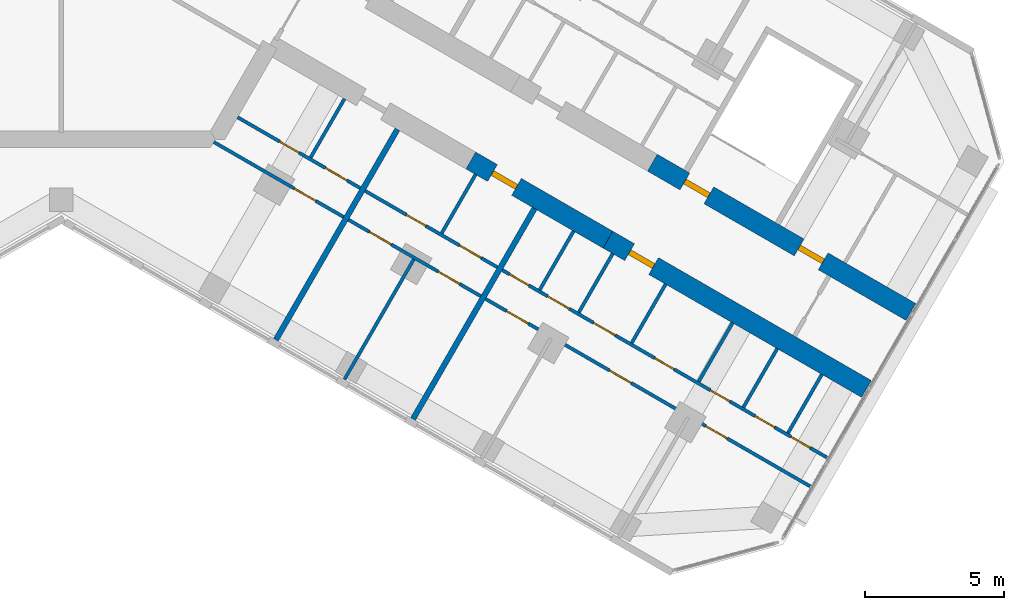
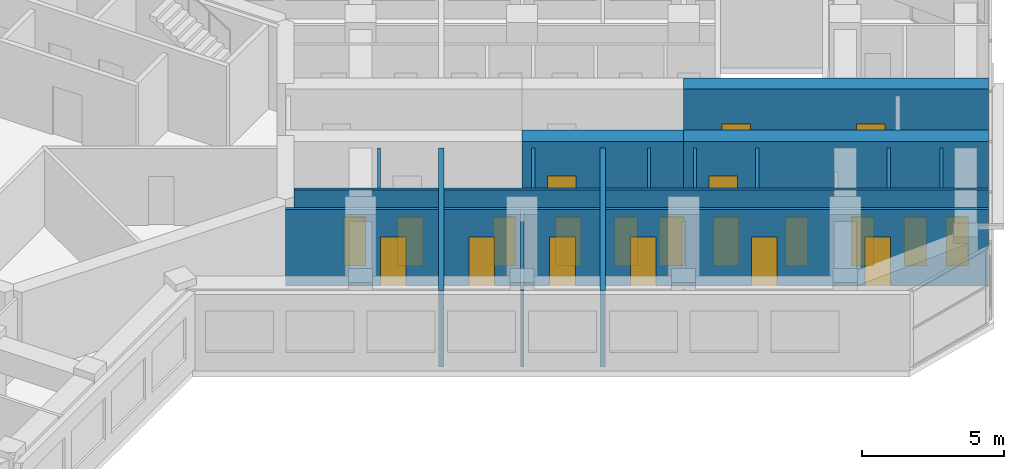
# One storey, part 11 of 16: 21 doors, 20 walls, 21 openings.
"""IFC4 building model written with IfcOpenShell, lengths in metres."""

from ifc_helpers import new_model, si_unit, direction, frame, frame_2d, origin, place, context, subcontext, project, spatial, rectangle, extrude, material, layer, layer_set, type_object, element, fill, save


model = new_model("IFC4")

# Units and contexts
model_context = context("Model", 3, precision=1e-05, world=origin(), true_north=direction((0.0, 1.0)))
body_context = subcontext(model_context, "Body", "Model", "MODEL_VIEW")
ifc_project = project(units=[si_unit("LENGTHUNIT", "METRE"), si_unit("AREAUNIT", "SQUARE_METRE"), si_unit("VOLUMEUNIT", "CUBIC_METRE"), si_unit("PLANEANGLEUNIT", "RADIAN"), si_unit("MASSUNIT", "GRAM", prefix="KILO")], contexts=[model_context])

# Site, building, storey
site_placement = place(None, origin())
site = spatial("IfcSite", under=ifc_project, at=site_placement, CompositionType="ELEMENT")
building_placement = place(site_placement, origin())
building = spatial("IfcBuilding", under=site, at=building_placement, Name="Kosmar Iwan School Tower", CompositionType="ELEMENT")
storey_placement = place(building_placement, frame((0.0, 0.0, 256.800048828125)))
storey = spatial("IfcBuildingStorey", under=building, at=storey_placement, Name="L65", CompositionType="ELEMENT", Elevation=256.800048828125)

# Wall, openings, doors
ifc_material_1 = material(Name="Concrete C50/60", Category="concrete")
ifc_layer_1 = layer(ifc_material_1, 0.699951171875)
ifc_layer_set_1 = layer_set([ifc_layer_1], Name="Corridor buttress wall 700")
wall_type_1 = type_object("IfcWallType", Name="Corridor buttress wall 700", PredefinedType="SHEAR", material=ifc_layer_set_1)
wall_1_placement = place(storey_placement, frame((21.281494140625, -10.439453125, 0.0), z_axis=(0.0, 0.0, 1.0), x_axis=(0.866032345022, -0.499987977232, 0.0)))
wall_1 = element("IfcWall", 1, at=wall_1_placement, inside=storey, type_object=wall_type_1, Name="Corridor wall CL bay 3", PredefinedType="SHEAR", context=body_context, shape_type="SweptSolid", body=[
    extrude(rectangle(XDim=10.744873046875, YDim=0.699951171875, at=frame_2d((5.37255859375, 0.0))), origin(), (0.0, 0.0, 1.0), 3.599853515625),
])
opening_1_placement = place(wall_1_placement, frame((6.10009765625, 0.0, 0.0)))
opening_1 = element("IfcOpeningElement", 2, at=opening_1_placement, cuts=wall_1, Name="Opening D1", PredefinedType="OPENING", context=body_context, shape_type="SweptSolid", body=[
    extrude(rectangle(XDim=1.0, YDim=2.10009765625, at=frame_2d((0.5, 1.050048828125))), frame((0.0, 0.362060546875, 0.0), z_axis=(0.0, -1.0, 0.0), x_axis=(1.0, 0.0, 0.0)), (0.0, 0.0, 1.0), 0.723876953125),
])
opening_2_placement = place(wall_1_placement, frame((1.35009765625, 0.0, 0.0)))
opening_2 = element("IfcOpeningElement", 3, at=opening_2_placement, cuts=wall_1, Name="Opening D6", PredefinedType="OPENING", context=body_context, shape_type="SweptSolid", body=[
    extrude(rectangle(XDim=1.0, YDim=2.10009765625, at=frame_2d((0.5, 1.050048828125))), frame((0.0, 0.362060546875, 0.0), z_axis=(0.0, -1.0, 0.0), x_axis=(1.0, 0.0, 0.0)), (0.0, 0.0, 1.0), 0.723876953125),
])
ifc_material_2 = material(Name="Timber fire door in steel frame", Category="steel")
door_type_1 = type_object("IfcDoorType", Name="Flat entrance door 1000x2100", OperationType="SINGLE_SWING_LEFT", PredefinedType="DOOR", material=ifc_material_2)
door_1_placement = place(opening_1_placement, origin())
door_1 = element("IfcDoor", 4, at=door_1_placement, inside=storey, type_object=door_type_1, Name="Flat L65-CL3 entrance door", OperationType="SINGLE_SWING_RIGHT", OverallHeight=2.10009765625, OverallWidth=1.0, PredefinedType="DOOR", context=body_context, shape_type="SweptSolid", body=[
    extrude(rectangle(XDim=1.0, YDim=2.10009765625, at=frame_2d((0.5, 1.050048828125))), frame((0.0, 0.10009765625, 0.0), z_axis=(0.0, -1.0, 0.0), x_axis=(1.0, 0.0, 0.0)), (0.0, 0.0, 1.0), 0.199951171875),
])
fill(opening_1, door_1)
ifc_material_3 = material(Name="Steel fire door", Category="steel")
door_type_2 = type_object("IfcDoorType", Name="Stair door 1000x2100", OperationType="SINGLE_SWING_LEFT", PredefinedType="DOOR", material=ifc_material_3)
door_2_placement = place(opening_2_placement, origin())
door_2 = element("IfcDoor", 5, at=door_2_placement, inside=storey, type_object=door_type_2, Name="Stair WS3 door L65", OperationType="SINGLE_SWING_LEFT", OverallHeight=2.10009765625, OverallWidth=1.0, PredefinedType="DOOR", context=body_context, shape_type="SweptSolid", body=[
    extrude(rectangle(XDim=1.0, YDim=2.10009765625, at=frame_2d((0.5, 1.050048828125))), frame((0.0, 0.10009765625, 0.0), z_axis=(0.0, -1.0, 0.0), x_axis=(1.0, 0.0, 0.0)), (0.0, 0.0, 1.0), 0.199951171875),
])
fill(opening_2, door_2)

# Wall, opening, door
wall_2_placement = place(storey_placement, frame((14.7451171875, -10.360595703125, 0.0), z_axis=(0.0, 0.0, 1.0), x_axis=(0.866015111908, -0.50001782563, 0.0)))
wall_2 = element("IfcWall", 6, at=wall_2_placement, inside=storey, type_object=wall_type_1, Name="Corridor wall CR bay 2", PredefinedType="SHEAR", context=body_context, shape_type="SweptSolid", body=[
    extrude(rectangle(XDim=5.699951171875, YDim=0.699951171875, at=frame_2d((2.85009765625, 0.0))), origin(), (0.0, 0.0, 1.0), 3.599853515625),
])
opening_3_placement = place(wall_2_placement, frame((0.89990234375, 0.0, 0.0)))
opening_3 = element("IfcOpeningElement", 7, at=opening_3_placement, cuts=wall_2, Name="Opening D1", PredefinedType="OPENING", context=body_context, shape_type="SweptSolid", body=[
    extrude(rectangle(XDim=1.0, YDim=2.10009765625, at=frame_2d((0.5, 1.050048828125))), frame((0.0, 0.362060546875, 0.0), z_axis=(0.0, -1.0, 0.0), x_axis=(1.0, 0.0, 0.0)), (0.0, 0.0, 1.0), 0.723876953125),
])
door_3_placement = place(opening_3_placement, origin())
door_3 = element("IfcDoor", 8, at=door_3_placement, inside=storey, type_object=door_type_1, Name="Flat L65-CR2 entrance door", OperationType="SINGLE_SWING_LEFT", OverallHeight=2.10009765625, OverallWidth=1.0, PredefinedType="DOOR", context=body_context, shape_type="SweptSolid", body=[
    extrude(rectangle(XDim=1.0, YDim=2.10009765625, at=frame_2d((0.5, 1.050048828125))), frame((0.0, 0.10009765625, 0.0), z_axis=(0.0, -1.0, 0.0), x_axis=(1.0, 0.0, 0.0)), (0.0, 0.0, 1.0), 0.199951171875),
])
fill(opening_3, door_3)

wall_3_placement = place(storey_placement, frame((19.681396484375, -13.210693359375, 0.0), z_axis=(0.0, 0.0, 1.0), x_axis=(0.866028186671, -0.499995179869, 0.0)))
wall_3 = element("IfcWall", 9, at=wall_3_placement, inside=storey, type_object=wall_type_1, Name="Corridor wall CR bay 3", PredefinedType="SHEAR", context=body_context, shape_type="SweptSolid", body=[
    extrude(rectangle(XDim=10.7451171875, YDim=0.699951171875, at=frame_2d((5.37255859375, 0.0))), origin(), (0.0, 0.0, 1.0), 3.599853515625),
])
opening_4_placement = place(wall_3_placement, frame((0.89990234375, 0.0, 0.0)))
opening_4 = element("IfcOpeningElement", 10, at=opening_4_placement, cuts=wall_3, Name="Opening D1", PredefinedType="OPENING", context=body_context, shape_type="SweptSolid", body=[
    extrude(rectangle(XDim=1.0, YDim=2.10009765625, at=frame_2d((0.5, 1.050048828125))), frame((0.0, 0.362060546875, 0.0), z_axis=(0.0, -1.0, 0.0), x_axis=(1.0, 0.0, 0.0)), (0.0, 0.0, 1.0), 0.723876953125),
])
door_4_placement = place(opening_4_placement, origin())
door_4 = element("IfcDoor", 11, at=door_4_placement, inside=storey, type_object=door_type_1, Name="Flat L65-CR3 entrance door", OperationType="SINGLE_SWING_LEFT", OverallHeight=2.10009765625, OverallWidth=1.0, PredefinedType="DOOR", context=body_context, shape_type="SweptSolid", body=[
    extrude(rectangle(XDim=1.0, YDim=2.10009765625, at=frame_2d((0.5, 1.050048828125))), frame((0.0, 0.10009765625, 0.0), z_axis=(0.0, -1.0, 0.0), x_axis=(1.0, 0.0, 0.0)), (0.0, 0.0, 1.0), 0.199951171875),
])
fill(opening_4, door_4)

# Wall, openings, doors
ifc_material_4 = material(Name="Gypsum board on steel studs", Category="steel")
ifc_layer_2 = layer(ifc_material_4, 0.1201171875)
ifc_layer_set_2 = layer_set([ifc_layer_2], Name="Dwelling partition 120")
wall_type_2 = type_object("IfcWallType", Name="Dwelling partition 120", PredefinedType="PARTITIONING", material=ifc_layer_set_2)
wall_4_placement = place(storey_placement, frame((6.3486328125, -8.8037109375, 0.0), z_axis=(0.0, 0.0, 1.0), x_axis=(0.86602216432, -0.500005610874, 0.0)))
wall_4 = element("IfcWall", 12, at=wall_4_placement, inside=storey, type_object=wall_type_2, Name="Partition L65-CR1-W1", PredefinedType="PARTITIONING", context=body_context, shape_type="SweptSolid", body=[
    extrude(rectangle(XDim=5.10009765625, YDim=0.1201171875, at=frame_2d((2.550048828125, 0.0))), origin(), (0.0, 0.0, 1.0), 3.300048828125),
])
opening_5_placement = place(wall_4_placement, frame((1.75, 0.0, 0.0)))
opening_5 = element("IfcOpeningElement", 13, at=opening_5_placement, cuts=wall_4, Name="Opening D3", PredefinedType="OPENING", context=body_context, shape_type="SweptSolid", body=[
    extrude(rectangle(XDim=0.800048828125, YDim=2.10009765625, at=frame_2d((0.39990234375, 1.050048828125))), frame((0.0, 0.072021484375, 0.0), z_axis=(0.0, -1.0, 0.0), x_axis=(1.0, 0.0, 0.0)), (0.0, 0.0, 1.0), 0.14404296875),
])
opening_6_placement = place(wall_4_placement, frame((3.64990234375, 0.0, 0.0)))
opening_6 = element("IfcOpeningElement", 14, at=opening_6_placement, cuts=wall_4, Name="Opening D2", PredefinedType="OPENING", context=body_context, shape_type="SweptSolid", body=[
    extrude(rectangle(XDim=0.89990234375, YDim=2.10009765625, at=frame_2d((0.449951171875, 1.050048828125))), frame((0.0, 0.072021484375, 0.0), z_axis=(0.0, -1.0, 0.0), x_axis=(1.0, 0.0, 0.0)), (0.0, 0.0, 1.0), 0.14404296875),
])
ifc_material_5 = material(Name="Timber door in timber frame", Category="wood")
door_type_3 = type_object("IfcDoorType", Name="Internal door 900x2100", OperationType="SINGLE_SWING_LEFT", PredefinedType="DOOR", material=ifc_material_5)
door_5_placement = place(opening_6_placement, origin())
door_5 = element("IfcDoor", 15, at=door_5_placement, inside=storey, type_object=door_type_3, Name="Entrance hall door L65-CR1-S2", OperationType="SINGLE_SWING_RIGHT", OverallHeight=2.10009765625, OverallWidth=0.89990234375, PredefinedType="DOOR", context=body_context, shape_type="SweptSolid", body=[
    extrude(rectangle(XDim=0.89990234375, YDim=2.10009765625, at=frame_2d((0.449951171875, 1.050048828125))), frame((0.0, 0.02490234375, 0.0), z_axis=(0.0, -1.0, 0.0), x_axis=(1.0, 0.0, 0.0)), (0.0, 0.0, 1.0), 0.050048828125),
])
fill(opening_6, door_5)
ifc_material_6 = material(Name="Timber door in timber frame", Category="wood")
door_type_4 = type_object("IfcDoorType", Name="Sanitary room door 800x2100", OperationType="SINGLE_SWING_LEFT", PredefinedType="DOOR", material=ifc_material_6)
door_6_placement = place(opening_5_placement, origin())
door_6 = element("IfcDoor", 16, at=door_6_placement, inside=storey, type_object=door_type_4, Name="Bathroom door L65-CR1-S1", OperationType="SINGLE_SWING_RIGHT", OverallHeight=2.10009765625, OverallWidth=0.800048828125, PredefinedType="DOOR", context=body_context, shape_type="SweptSolid", body=[
    extrude(rectangle(XDim=0.800048828125, YDim=2.10009765625, at=frame_2d((0.39990234375, 1.050048828125))), frame((0.0, 0.02490234375, 0.0), z_axis=(0.0, -1.0, 0.0), x_axis=(1.0, 0.0, 0.0)), (0.0, 0.0, 1.0), 0.050048828125),
])
fill(opening_5, door_6)

# Wall, opening, door
wall_5_placement = place(storey_placement, frame((5.48876953125, -9.693115234375, 0.0), z_axis=(0.0, 0.0, 1.0), x_axis=(0.866028230842, -0.499995103361, 0.0)))
wall_5 = element("IfcWall", 17, at=wall_5_placement, inside=storey, type_object=wall_type_2, Name="Partition L65-CR1-W2", PredefinedType="PARTITIONING", context=body_context, shape_type="SweptSolid", body=[
    extrude(rectangle(XDim=5.39990234375, YDim=0.1201171875, at=frame_2d((2.699951171875, 0.0))), origin(), (0.0, 0.0, 1.0), 3.300048828125),
])
opening_7_placement = place(wall_5_placement, frame((3.35009765625, 0.0, 0.0)))
opening_7 = element("IfcOpeningElement", 18, at=opening_7_placement, cuts=wall_5, Name="Opening D2", PredefinedType="OPENING", context=body_context, shape_type="SweptSolid", body=[
    extrude(rectangle(XDim=0.89990234375, YDim=2.10009765625, at=frame_2d((0.449951171875, 1.050048828125))), frame((0.0, 0.072021484375, 0.0), z_axis=(0.0, -1.0, 0.0), x_axis=(1.0, 0.0, 0.0)), (0.0, 0.0, 1.0), 0.14404296875),
])
door_7_placement = place(opening_7_placement, origin())
door_7 = element("IfcDoor", 19, at=door_7_placement, inside=storey, type_object=door_type_3, Name="Studio living room and kitchen door L65-CR1-F1", OperationType="SINGLE_SWING_RIGHT", OverallHeight=2.10009765625, OverallWidth=0.89990234375, PredefinedType="DOOR", context=body_context, shape_type="SweptSolid", body=[
    extrude(rectangle(XDim=0.89990234375, YDim=2.10009765625, at=frame_2d((0.449951171875, 1.050048828125))), frame((0.0, 0.02490234375, 0.0), z_axis=(0.0, -1.0, 0.0), x_axis=(1.0, 0.0, 0.0)), (0.0, 0.0, 1.0), 0.050048828125),
])
fill(opening_7, door_7)

# Wall
wall_6_placement = place(storey_placement, frame((10.19677734375, -8.138671875, 0.0), z_axis=(0.0, 0.0, 1.0), x_axis=(-0.499959183527, -0.866048967903, 0.0)))
element("IfcWall", 20, at=wall_6_placement, inside=storey, type_object=wall_type_2, Name="Partition L65-CR1-Y1", PredefinedType="PARTITIONING", context=body_context, shape_type="SweptSolid", body=[
    extrude(rectangle(XDim=2.440185546875, YDim=0.1201171875, at=frame_2d((1.22021484375, 0.0))), origin(), (0.0, 0.0, 1.0), 3.300048828125),
])

# Wall, openings, doors
wall_7_placement = place(storey_placement, frame((10.9384765625, -11.453857421875, 0.0), z_axis=(0.0, 0.0, 1.0), x_axis=(0.866027397988, -0.499996545922, 0.0)))
wall_7 = element("IfcWall", 21, at=wall_7_placement, inside=storey, type_object=wall_type_2, Name="Partition L65-CR2-W1", PredefinedType="PARTITIONING", context=body_context, shape_type="SweptSolid", body=[
    extrude(rectangle(XDim=5.5, YDim=0.1201171875, at=frame_2d((2.75, 0.0))), origin(), (0.0, 0.0, 1.0), 3.300048828125),
])
opening_8_placement = place(wall_7_placement, frame((1.72509765625, 0.0, 0.0)))
opening_8 = element("IfcOpeningElement", 22, at=opening_8_placement, cuts=wall_7, Name="Opening D3", PredefinedType="OPENING", context=body_context, shape_type="SweptSolid", body=[
    extrude(rectangle(XDim=0.800048828125, YDim=2.10009765625, at=frame_2d((0.39990234375, 1.050048828125))), frame((0.0, 0.072021484375, 0.0), z_axis=(0.0, -1.0, 0.0), x_axis=(1.0, 0.0, 0.0)), (0.0, 0.0, 1.0), 0.14404296875),
])
opening_9_placement = place(wall_7_placement, frame((3.925048828125, 0.0, 0.0)))
opening_9 = element("IfcOpeningElement", 23, at=opening_9_placement, cuts=wall_7, Name="Opening D2", PredefinedType="OPENING", context=body_context, shape_type="SweptSolid", body=[
    extrude(rectangle(XDim=0.89990234375, YDim=2.10009765625, at=frame_2d((0.449951171875, 1.050048828125))), frame((0.0, 0.072021484375, 0.0), z_axis=(0.0, -1.0, 0.0), x_axis=(1.0, 0.0, 0.0)), (0.0, 0.0, 1.0), 0.14404296875),
])
door_8_placement = place(opening_9_placement, origin())
door_8 = element("IfcDoor", 24, at=door_8_placement, inside=storey, type_object=door_type_3, Name="Entrance hall door L65-CR2-S2", OperationType="SINGLE_SWING_RIGHT", OverallHeight=2.10009765625, OverallWidth=0.89990234375, PredefinedType="DOOR", context=body_context, shape_type="SweptSolid", body=[
    extrude(rectangle(XDim=0.89990234375, YDim=2.10009765625, at=frame_2d((0.449951171875, 1.050048828125))), frame((0.0, 0.02490234375, 0.0), z_axis=(0.0, -1.0, 0.0), x_axis=(1.0, 0.0, 0.0)), (0.0, 0.0, 1.0), 0.050048828125),
])
fill(opening_9, door_8)
door_9_placement = place(opening_8_placement, origin())
door_9 = element("IfcDoor", 25, at=door_9_placement, inside=storey, type_object=door_type_4, Name="Bathroom door L65-CR2-S1", OperationType="SINGLE_SWING_RIGHT", OverallHeight=2.10009765625, OverallWidth=0.800048828125, PredefinedType="DOOR", context=body_context, shape_type="SweptSolid", body=[
    extrude(rectangle(XDim=0.800048828125, YDim=2.10009765625, at=frame_2d((0.39990234375, 1.050048828125))), frame((0.0, 0.02490234375, 0.0), z_axis=(0.0, -1.0, 0.0), x_axis=(1.0, 0.0, 0.0)), (0.0, 0.0, 1.0), 0.050048828125),
])
fill(opening_8, door_9)

wall_8_placement = place(storey_placement, frame((10.338623046875, -12.492919921875, 0.0), z_axis=(0.0, 0.0, 1.0), x_axis=(0.866008176907, -0.50002983664, 0.0)))
wall_8 = element("IfcWall", 26, at=wall_8_placement, inside=storey, type_object=wall_type_2, Name="Partition L65-CR2-W2", PredefinedType="PARTITIONING", context=body_context, shape_type="SweptSolid", body=[
    extrude(rectangle(XDim=5.500244140625, YDim=0.1201171875, at=frame_2d((2.75, 0.0))), origin(), (0.0, 0.0, 1.0), 3.300048828125),
])
opening_10_placement = place(wall_8_placement, frame((0.875, 0.0, 0.0)))
opening_10 = element("IfcOpeningElement", 27, at=opening_10_placement, cuts=wall_8, Name="Opening D2", PredefinedType="OPENING", context=body_context, shape_type="SweptSolid", body=[
    extrude(rectangle(XDim=0.89990234375, YDim=2.10009765625, at=frame_2d((0.449951171875, 1.050048828125))), frame((0.0, 0.072021484375, 0.0), z_axis=(0.0, -1.0, 0.0), x_axis=(1.0, 0.0, 0.0)), (0.0, 0.0, 1.0), 0.14404296875),
])
opening_11_placement = place(wall_8_placement, frame((3.72509765625, 0.0, 0.0)))
opening_11 = element("IfcOpeningElement", 28, at=opening_11_placement, cuts=wall_8, Name="Opening D2", PredefinedType="OPENING", context=body_context, shape_type="SweptSolid", body=[
    extrude(rectangle(XDim=0.89990234375, YDim=2.10009765625, at=frame_2d((0.449951171875, 1.050048828125))), frame((0.0, 0.072021484375, 0.0), z_axis=(0.0, -1.0, 0.0), x_axis=(1.0, 0.0, 0.0)), (0.0, 0.0, 1.0), 0.14404296875),
])
door_10_placement = place(opening_10_placement, origin())
door_10 = element("IfcDoor", 29, at=door_10_placement, inside=storey, type_object=door_type_3, Name="Living room and kitchen door L65-CR2-F1", OperationType="SINGLE_SWING_LEFT", OverallHeight=2.10009765625, OverallWidth=0.89990234375, PredefinedType="DOOR", context=body_context, shape_type="SweptSolid", body=[
    extrude(rectangle(XDim=0.89990234375, YDim=2.10009765625, at=frame_2d((0.449951171875, 1.050048828125))), frame((0.0, 0.02490234375, 0.0), z_axis=(0.0, -1.0, 0.0), x_axis=(1.0, 0.0, 0.0)), (0.0, 0.0, 1.0), 0.050048828125),
])
fill(opening_10, door_10)
door_11_placement = place(opening_11_placement, origin())
door_11 = element("IfcDoor", 30, at=door_11_placement, inside=storey, type_object=door_type_3, Name="Bedroom 1 door L65-CR2-F2", OperationType="SINGLE_SWING_RIGHT", OverallHeight=2.10009765625, OverallWidth=0.89990234375, PredefinedType="DOOR", context=body_context, shape_type="SweptSolid", body=[
    extrude(rectangle(XDim=0.89990234375, YDim=2.10009765625, at=frame_2d((0.449951171875, 1.050048828125))), frame((0.0, 0.02490234375, 0.0), z_axis=(0.0, -1.0, 0.0), x_axis=(1.0, 0.0, 0.0)), (0.0, 0.0, 1.0), 0.050048828125),
])
fill(opening_11, door_11)

# Walls
wall_9_placement = place(storey_placement, frame((12.690185546875, -13.919921875, 0.0), z_axis=(0.0, 0.0, 1.0), x_axis=(-0.500011847778, -0.866018563358, 0.0)))
element("IfcWall", 31, at=wall_9_placement, inside=storey, type_object=wall_type_2, Name="Partition L65-CR2-X1", PredefinedType="PARTITIONING", context=body_context, shape_type="SweptSolid", body=[
    extrude(rectangle(XDim=4.990234375, YDim=0.1201171875, at=frame_2d((2.4951171875, 0.0))), origin(), (0.0, 0.0, 1.0), 3.300048828125),
])
wall_10_placement = place(storey_placement, frame((14.91650390625, -10.86376953125, 0.0), z_axis=(0.0, 0.0, 1.0), x_axis=(-0.500002508028, -0.866023955769, 0.0)))
element("IfcWall", 32, at=wall_10_placement, inside=storey, type_object=wall_type_2, Name="Partition L65-CR2-Y1", PredefinedType="PARTITIONING", context=body_context, shape_type="SweptSolid", body=[
    extrude(rectangle(XDim=2.43994140625, YDim=0.1201171875, at=frame_2d((1.219970703125, 0.0))), origin(), (0.0, 0.0, 1.0), 3.300048828125),
])

# Wall, openings, doors
wall_11_placement = place(storey_placement, frame((15.875, -14.3037109375, 0.0), z_axis=(0.0, 0.0, 1.0), x_axis=(0.866023503214, -0.50000329187, 0.0)))
wall_11 = element("IfcWall", 33, at=wall_11_placement, inside=storey, type_object=wall_type_2, Name="Partition L65-CR3-W1", PredefinedType="PARTITIONING", context=body_context, shape_type="SweptSolid", body=[
    extrude(rectangle(XDim=13.4951171875, YDim=0.1201171875, at=frame_2d((6.74755859375, 0.0))), origin(), (0.0, 0.0, 1.0), 3.300048828125),
])
opening_12_placement = place(wall_11_placement, frame((0.3125, 0.0, 0.0)))
opening_12 = element("IfcOpeningElement", 34, at=opening_12_placement, cuts=wall_11, Name="Opening D3", PredefinedType="OPENING", context=body_context, shape_type="SweptSolid", body=[
    extrude(rectangle(XDim=0.800048828125, YDim=2.10009765625, at=frame_2d((0.39990234375, 1.050048828125))), frame((0.0, 0.072021484375, 0.0), z_axis=(0.0, -1.0, 0.0), x_axis=(1.0, 0.0, 0.0)), (0.0, 0.0, 1.0), 0.14404296875),
])
opening_13_placement = place(wall_11_placement, frame((1.887451171875, 0.0, 0.0)))
opening_13 = element("IfcOpeningElement", 35, at=opening_13_placement, cuts=wall_11, Name="Opening D2", PredefinedType="OPENING", context=body_context, shape_type="SweptSolid", body=[
    extrude(rectangle(XDim=0.89990234375, YDim=2.10009765625, at=frame_2d((0.449951171875, 1.050048828125))), frame((0.0, 0.072021484375, 0.0), z_axis=(0.0, -1.0, 0.0), x_axis=(1.0, 0.0, 0.0)), (0.0, 0.0, 1.0), 0.14404296875),
])
opening_14_placement = place(wall_11_placement, frame((3.800048828125, 0.0, 0.0)))
opening_14 = element("IfcOpeningElement", 36, at=opening_14_placement, cuts=wall_11, Name="Opening D2", PredefinedType="OPENING", context=body_context, shape_type="SweptSolid", body=[
    extrude(rectangle(XDim=0.89990234375, YDim=2.10009765625, at=frame_2d((0.449951171875, 1.050048828125))), frame((0.0, 0.072021484375, 0.0), z_axis=(0.0, -1.0, 0.0), x_axis=(1.0, 0.0, 0.0)), (0.0, 0.0, 1.0), 0.14404296875),
])
opening_15_placement = place(wall_11_placement, frame((6.341796875, 0.0, 0.0)))
opening_15 = element("IfcOpeningElement", 37, at=opening_15_placement, cuts=wall_11, Name="Opening D3", PredefinedType="OPENING", context=body_context, shape_type="SweptSolid", body=[
    extrude(rectangle(XDim=0.800048828125, YDim=2.10009765625, at=frame_2d((0.39990234375, 1.050048828125))), frame((0.0, 0.072021484375, 0.0), z_axis=(0.0, -1.0, 0.0), x_axis=(1.0, 0.0, 0.0)), (0.0, 0.0, 1.0), 0.14404296875),
])
opening_16_placement = place(wall_11_placement, frame((8.6611328125, 0.0, 0.0)))
opening_16 = element("IfcOpeningElement", 38, at=opening_16_placement, cuts=wall_11, Name="Opening D3", PredefinedType="OPENING", context=body_context, shape_type="SweptSolid", body=[
    extrude(rectangle(XDim=0.800048828125, YDim=2.10009765625, at=frame_2d((0.39990234375, 1.050048828125))), frame((0.0, 0.072021484375, 0.0), z_axis=(0.0, -1.0, 0.0), x_axis=(1.0, 0.0, 0.0)), (0.0, 0.0, 1.0), 0.14404296875),
])
opening_17_placement = place(wall_11_placement, frame((10.5166015625, 0.0, 0.0)))
opening_17 = element("IfcOpeningElement", 39, at=opening_17_placement, cuts=wall_11, Name="Opening D3", PredefinedType="OPENING", context=body_context, shape_type="SweptSolid", body=[
    extrude(rectangle(XDim=0.800048828125, YDim=2.10009765625, at=frame_2d((0.39990234375, 1.050048828125))), frame((0.0, 0.072021484375, 0.0), z_axis=(0.0, -1.0, 0.0), x_axis=(1.0, 0.0, 0.0)), (0.0, 0.0, 1.0), 0.14404296875),
])
opening_18_placement = place(wall_11_placement, frame((12.00439453125, 0.0, 0.0)))
opening_18 = element("IfcOpeningElement", 40, at=opening_18_placement, cuts=wall_11, Name="Opening D3", PredefinedType="OPENING", context=body_context, shape_type="SweptSolid", body=[
    extrude(rectangle(XDim=0.800048828125, YDim=2.10009765625, at=frame_2d((0.39990234375, 1.050048828125))), frame((0.0, 0.072021484375, 0.0), z_axis=(0.0, -1.0, 0.0), x_axis=(1.0, 0.0, 0.0)), (0.0, 0.0, 1.0), 0.14404296875),
])
door_12_placement = place(opening_13_placement, origin())
door_12 = element("IfcDoor", 41, at=door_12_placement, inside=storey, type_object=door_type_3, Name="Pantry door L65-CR3-S2", OperationType="SINGLE_SWING_LEFT", OverallHeight=2.10009765625, OverallWidth=0.89990234375, PredefinedType="DOOR", context=body_context, shape_type="SweptSolid", body=[
    extrude(rectangle(XDim=0.89990234375, YDim=2.10009765625, at=frame_2d((0.449951171875, 1.050048828125))), frame((0.0, 0.02490234375, 0.0), z_axis=(0.0, -1.0, 0.0), x_axis=(1.0, 0.0, 0.0)), (0.0, 0.0, 1.0), 0.050048828125),
])
fill(opening_13, door_12)
door_13_placement = place(opening_14_placement, origin())
door_13 = element("IfcDoor", 42, at=door_13_placement, inside=storey, type_object=door_type_3, Name="Entrance hall door L65-CR3-S3", OperationType="SINGLE_SWING_RIGHT", OverallHeight=2.10009765625, OverallWidth=0.89990234375, PredefinedType="DOOR", context=body_context, shape_type="SweptSolid", body=[
    extrude(rectangle(XDim=0.89990234375, YDim=2.10009765625, at=frame_2d((0.449951171875, 1.050048828125))), frame((0.0, 0.02490234375, 0.0), z_axis=(0.0, -1.0, 0.0), x_axis=(1.0, 0.0, 0.0)), (0.0, 0.0, 1.0), 0.050048828125),
])
fill(opening_14, door_13)
door_14_placement = place(opening_12_placement, origin())
door_14 = element("IfcDoor", 43, at=door_14_placement, inside=storey, type_object=door_type_4, Name="Store door L65-CR3-S1", OperationType="SINGLE_SWING_RIGHT", OverallHeight=2.10009765625, OverallWidth=0.800048828125, PredefinedType="DOOR", context=body_context, shape_type="SweptSolid", body=[
    extrude(rectangle(XDim=0.800048828125, YDim=2.10009765625, at=frame_2d((0.39990234375, 1.050048828125))), frame((0.0, 0.02490234375, 0.0), z_axis=(0.0, -1.0, 0.0), x_axis=(1.0, 0.0, 0.0)), (0.0, 0.0, 1.0), 0.050048828125),
])
fill(opening_12, door_14)
door_15_placement = place(opening_15_placement, origin())
door_15 = element("IfcDoor", 44, at=door_15_placement, inside=storey, type_object=door_type_4, Name="Bathroom door L65-CR3-S4", OperationType="SINGLE_SWING_LEFT", OverallHeight=2.10009765625, OverallWidth=0.800048828125, PredefinedType="DOOR", context=body_context, shape_type="SweptSolid", body=[
    extrude(rectangle(XDim=0.800048828125, YDim=2.10009765625, at=frame_2d((0.39990234375, 1.050048828125))), frame((0.0, 0.02490234375, 0.0), z_axis=(0.0, -1.0, 0.0), x_axis=(1.0, 0.0, 0.0)), (0.0, 0.0, 1.0), 0.050048828125),
])
fill(opening_15, door_15)
door_16_placement = place(opening_16_placement, origin())
door_16 = element("IfcDoor", 45, at=door_16_placement, inside=storey, type_object=door_type_4, Name="Grandparents' shower room door L65-CR3-S5", OperationType="SINGLE_SWING_RIGHT", OverallHeight=2.10009765625, OverallWidth=0.800048828125, PredefinedType="DOOR", context=body_context, shape_type="SweptSolid", body=[
    extrude(rectangle(XDim=0.800048828125, YDim=2.10009765625, at=frame_2d((0.39990234375, 1.050048828125))), frame((0.0, 0.02490234375, 0.0), z_axis=(0.0, -1.0, 0.0), x_axis=(1.0, 0.0, 0.0)), (0.0, 0.0, 1.0), 0.050048828125),
])
fill(opening_16, door_16)
door_17_placement = place(opening_17_placement, origin())
door_17 = element("IfcDoor", 46, at=door_17_placement, inside=storey, type_object=door_type_4, Name="Shower room door L65-CR3-S6", OperationType="SINGLE_SWING_LEFT", OverallHeight=2.10009765625, OverallWidth=0.800048828125, PredefinedType="DOOR", context=body_context, shape_type="SweptSolid", body=[
    extrude(rectangle(XDim=0.800048828125, YDim=2.10009765625, at=frame_2d((0.39990234375, 1.050048828125))), frame((0.0, 0.02490234375, 0.0), z_axis=(0.0, -1.0, 0.0), x_axis=(1.0, 0.0, 0.0)), (0.0, 0.0, 1.0), 0.050048828125),
])
fill(opening_17, door_17)
door_18_placement = place(opening_18_placement, origin())
door_18 = element("IfcDoor", 47, at=door_18_placement, inside=storey, type_object=door_type_4, Name="WC door L65-CR3-S7", OperationType="SINGLE_SWING_LEFT", OverallHeight=2.10009765625, OverallWidth=0.800048828125, PredefinedType="DOOR", context=body_context, shape_type="SweptSolid", body=[
    extrude(rectangle(XDim=0.800048828125, YDim=2.10009765625, at=frame_2d((0.39990234375, 1.050048828125))), frame((0.0, 0.02490234375, 0.0), z_axis=(0.0, -1.0, 0.0), x_axis=(1.0, 0.0, 0.0)), (0.0, 0.0, 1.0), 0.050048828125),
])
fill(opening_18, door_18)

wall_12_placement = place(storey_placement, frame((15.27490234375, -15.343017578125, 0.0), z_axis=(0.0, 0.0, 1.0), x_axis=(0.866023503214, -0.50000329187, 0.0)))
wall_12 = element("IfcWall", 48, at=wall_12_placement, inside=storey, type_object=wall_type_2, Name="Partition L65-CR3-W2", PredefinedType="PARTITIONING", context=body_context, shape_type="SweptSolid", body=[
    extrude(rectangle(XDim=13.4951171875, YDim=0.1201171875, at=frame_2d((6.74755859375, 0.0))), origin(), (0.0, 0.0, 1.0), 3.300048828125),
])
opening_19_placement = place(wall_12_placement, frame((0.875, 0.0, 0.0)))
opening_19 = element("IfcOpeningElement", 49, at=opening_19_placement, cuts=wall_12, Name="Opening D2", PredefinedType="OPENING", context=body_context, shape_type="SweptSolid", body=[
    extrude(rectangle(XDim=0.89990234375, YDim=2.10009765625, at=frame_2d((0.449951171875, 1.050048828125))), frame((0.0, 0.072021484375, 0.0), z_axis=(0.0, -1.0, 0.0), x_axis=(1.0, 0.0, 0.0)), (0.0, 0.0, 1.0), 0.14404296875),
])
opening_20_placement = place(wall_12_placement, frame((5.14990234375, 0.0, 0.0)))
opening_20 = element("IfcOpeningElement", 50, at=opening_20_placement, cuts=wall_12, Name="Opening D2", PredefinedType="OPENING", context=body_context, shape_type="SweptSolid", body=[
    extrude(rectangle(XDim=0.89990234375, YDim=2.10009765625, at=frame_2d((0.449951171875, 1.050048828125))), frame((0.0, 0.072021484375, 0.0), z_axis=(0.0, -1.0, 0.0), x_axis=(1.0, 0.0, 0.0)), (0.0, 0.0, 1.0), 0.14404296875),
])
opening_21_placement = place(wall_12_placement, frame((9.14990234375, 0.0, 0.0)))
opening_21 = element("IfcOpeningElement", 51, at=opening_21_placement, cuts=wall_12, Name="Opening D2", PredefinedType="OPENING", context=body_context, shape_type="SweptSolid", body=[
    extrude(rectangle(XDim=0.89990234375, YDim=2.10009765625, at=frame_2d((0.449951171875, 1.050048828125))), frame((0.0, 0.072021484375, 0.0), z_axis=(0.0, -1.0, 0.0), x_axis=(1.0, 0.0, 0.0)), (0.0, 0.0, 1.0), 0.14404296875),
])
door_19_placement = place(opening_19_placement, origin())
door_19 = element("IfcDoor", 52, at=door_19_placement, inside=storey, type_object=door_type_3, Name="Bedroom 1 door L65-CR3-F1", OperationType="SINGLE_SWING_LEFT", OverallHeight=2.10009765625, OverallWidth=0.89990234375, PredefinedType="DOOR", context=body_context, shape_type="SweptSolid", body=[
    extrude(rectangle(XDim=0.89990234375, YDim=2.10009765625, at=frame_2d((0.449951171875, 1.050048828125))), frame((0.0, 0.02490234375, 0.0), z_axis=(0.0, -1.0, 0.0), x_axis=(1.0, 0.0, 0.0)), (0.0, 0.0, 1.0), 0.050048828125),
])
fill(opening_19, door_19)
door_20_placement = place(opening_20_placement, origin())
door_20 = element("IfcDoor", 53, at=door_20_placement, inside=storey, type_object=door_type_3, Name="Living room and kitchen door L65-CR3-F2", OperationType="SINGLE_SWING_LEFT", OverallHeight=2.10009765625, OverallWidth=0.89990234375, PredefinedType="DOOR", context=body_context, shape_type="SweptSolid", body=[
    extrude(rectangle(XDim=0.89990234375, YDim=2.10009765625, at=frame_2d((0.449951171875, 1.050048828125))), frame((0.0, 0.02490234375, 0.0), z_axis=(0.0, -1.0, 0.0), x_axis=(1.0, 0.0, 0.0)), (0.0, 0.0, 1.0), 0.050048828125),
])
fill(opening_20, door_20)
door_21_placement = place(opening_21_placement, origin())
door_21 = element("IfcDoor", 54, at=door_21_placement, inside=storey, type_object=door_type_3, Name="Grandparents' suite door L65-CR3-F3", OperationType="SINGLE_SWING_RIGHT", OverallHeight=2.10009765625, OverallWidth=0.89990234375, PredefinedType="DOOR", context=body_context, shape_type="SweptSolid", body=[
    extrude(rectangle(XDim=0.89990234375, YDim=2.10009765625, at=frame_2d((0.449951171875, 1.050048828125))), frame((0.0, 0.02490234375, 0.0), z_axis=(0.0, -1.0, 0.0), x_axis=(1.0, 0.0, 0.0)), (0.0, 0.0, 1.0), 0.050048828125),
])
fill(opening_21, door_21)

# Walls
for number, where, z_axis, x_axis, name in (
    (55, (18.445556640625, -12.901123046875, 0.0), (0.0, 0.0, 1.0), (-0.499959183527, -0.866048967903, 0.0), "Partition L65-CR3-Y1"),
    (56, (19.85302734375, -13.713623046875, 0.0), (0.0, 0.0, 1.0), (-0.500034220881, -0.866005645448, 0.0), "Partition L65-CR3-Y2"),
):
    element("IfcWall", number, at=place(storey_placement, frame(where, z_axis=z_axis, x_axis=x_axis)), inside=storey, type_object=wall_type_2, Name=name, PredefinedType="PARTITIONING", context=body_context, shape_type="SweptSolid", body=[
        extrude(rectangle(XDim=2.440185546875, YDim=0.1201171875, at=frame_2d((1.22021484375, 0.0))), origin(), (0.0, 0.0, 1.0), 3.300048828125),
    ])
wall_13_placement = place(storey_placement, frame((21.758056640625, -14.813720703125, 0.0), z_axis=(0.0, 0.0, 1.0), x_axis=(-0.500002508028, -0.866023955769, 0.0)))
element("IfcWall", 57, at=wall_13_placement, inside=storey, type_object=wall_type_2, Name="Partition L65-CR3-Y3", PredefinedType="PARTITIONING", context=body_context, shape_type="SweptSolid", body=[
    extrude(rectangle(XDim=2.43994140625, YDim=0.1201171875, at=frame_2d((1.219970703125, 0.0))), origin(), (0.0, 0.0, 1.0), 3.300048828125),
])
wall_14_placement = place(storey_placement, frame((24.168701171875, -16.205322265625, 0.0), z_axis=(0.0, 0.0, 1.0), x_axis=(-0.500034220881, -0.866005645448, 0.0)))
element("IfcWall", 58, at=wall_14_placement, inside=storey, type_object=wall_type_2, Name="Partition L65-CR3-Y4", PredefinedType="PARTITIONING", context=body_context, shape_type="SweptSolid", body=[
    extrude(rectangle(XDim=2.440185546875, YDim=0.1201171875, at=frame_2d((1.22021484375, 0.0))), origin(), (0.0, 0.0, 1.0), 2.300048828125),
])
for number, where, z_axis, x_axis, name in (
    (59, (25.775634765625, -17.13330078125, 0.0), (0.0, 0.0, 1.0), (-0.500002508028, -0.866023955769, 0.0), "Partition L65-CR3-Y5"),
    (60, (27.382568359375, -18.06103515625, 0.0), (0.0, 0.0, 1.0), (-0.500002508028, -0.866023955769, 0.0), "Partition L65-CR3-Y6"),
):
    element("IfcWall", number, at=place(storey_placement, frame(where, z_axis=z_axis, x_axis=x_axis)), inside=storey, type_object=wall_type_2, Name=name, PredefinedType="PARTITIONING", context=body_context, shape_type="SweptSolid", body=[
        extrude(rectangle(XDim=2.43994140625, YDim=0.1201171875, at=frame_2d((1.219970703125, 0.0))), origin(), (0.0, 0.0, 1.0), 3.300048828125),
    ])
ifc_material_7 = material(Name="Concrete block masonry", Category="masonry")
ifc_layer_3 = layer(ifc_material_7, 0.199951171875)
ifc_layer_set_3 = layer_set([ifc_layer_3], Name="Party wall 200")
wall_type_3 = type_object("IfcWallType", Name="Party wall 200", PredefinedType="PARTITIONING", material=ifc_layer_set_3)
wall_15_placement = place(storey_placement, frame((12.10205078125, -9.23876953125, 0.0), z_axis=(0.0, 0.0, 1.0), x_axis=(-0.500004234368, -0.866022959057, 0.0)))
element("IfcWall", 61, at=wall_15_placement, inside=storey, type_object=wall_type_3, Name="Partition L65-CR2-PW", PredefinedType="PARTITIONING", context=body_context, shape_type="SweptSolid", body=[
    extrude(rectangle(XDim=8.75, YDim=0.199951171875, at=frame_2d((4.375, 0.0))), origin(), (0.0, 0.0, 1.0), 3.300048828125),
])
wall_16_placement = place(storey_placement, frame((17.038330078125, -12.088623046875, 0.0), z_axis=(0.0, 0.0, 1.0), x_axis=(-0.499992152613, -0.866029934428, 0.0)))
element("IfcWall", 62, at=wall_16_placement, inside=storey, type_object=wall_type_3, Name="Partition L65-CR3-PW", PredefinedType="PARTITIONING", context=body_context, shape_type="SweptSolid", body=[
    extrude(rectangle(XDim=8.750244140625, YDim=0.199951171875, at=frame_2d((4.375, 0.0))), origin(), (0.0, 0.0, 1.0), 3.300048828125),
])

save(model, "model.ifc")
